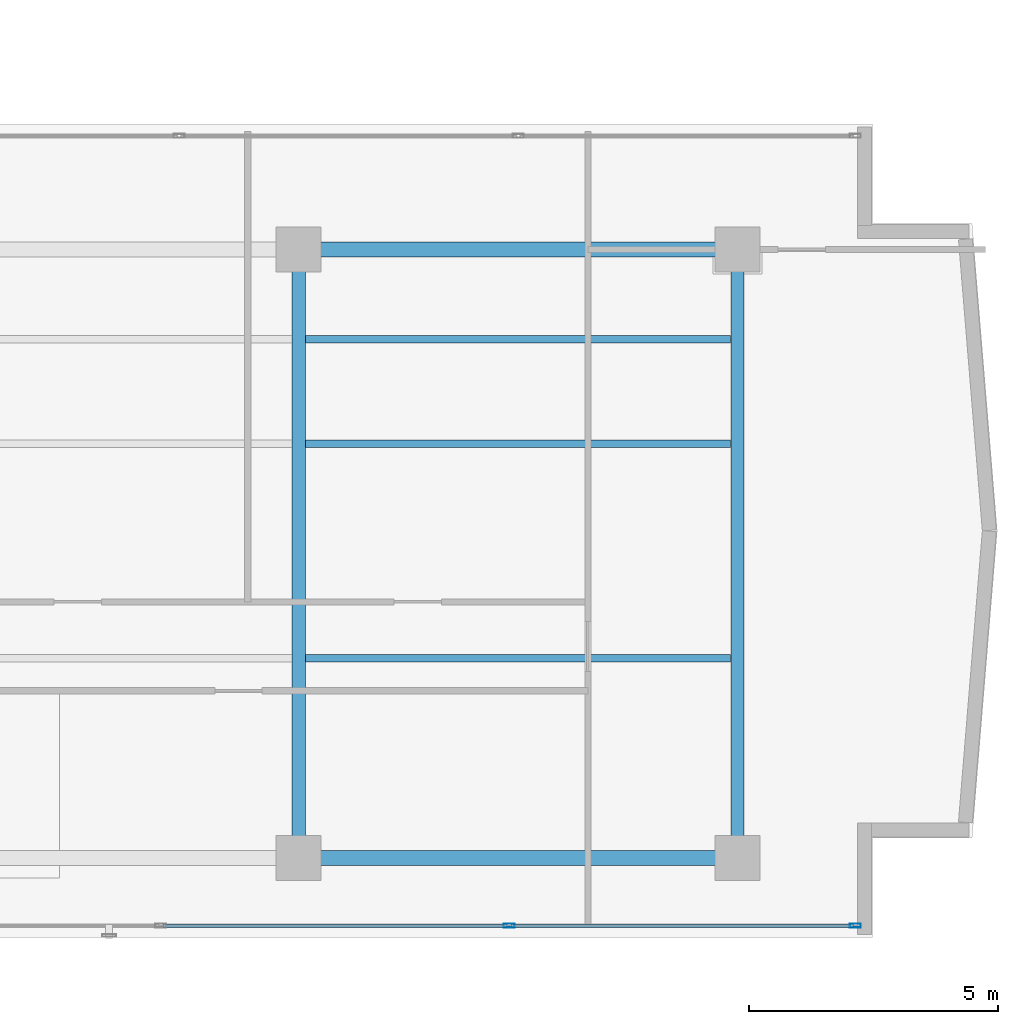
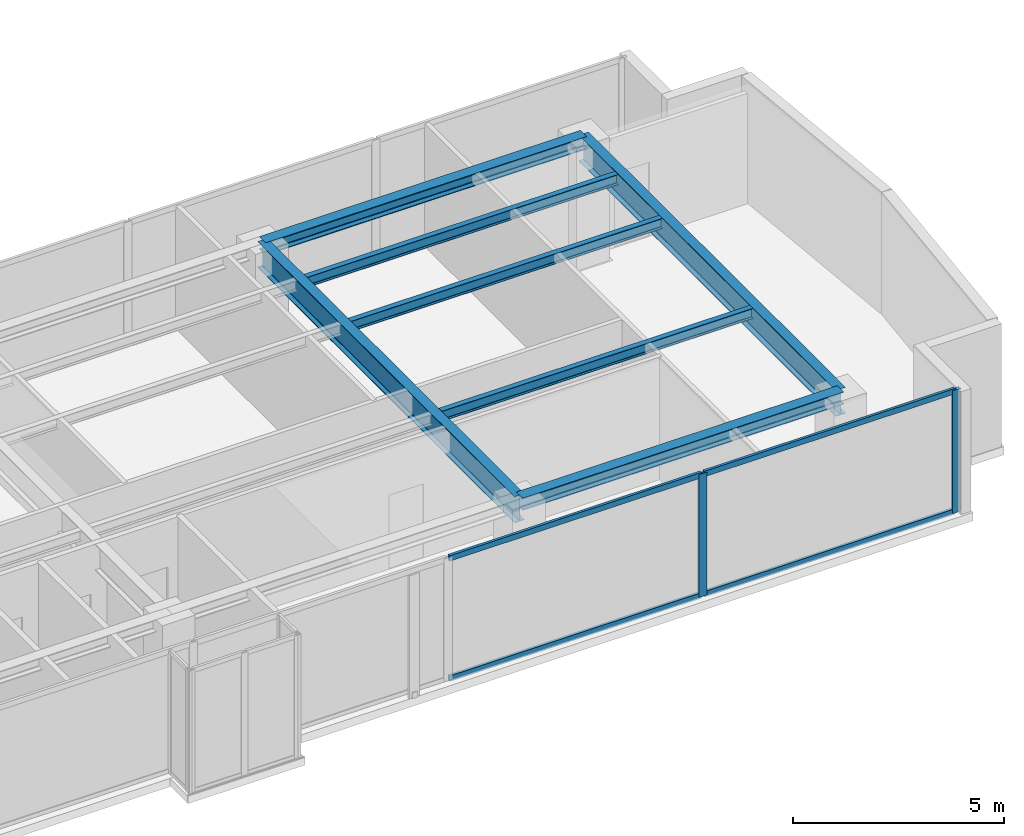
# One storey, part 11 of 24: 7 beams, 6 members, 1 element without a shape of its own.
"""IFC4 building model written with IfcOpenShell, lengths in metres."""

from ifc_helpers import new_model, si_unit, direction, frame, origin, origin_with_axes, origin_2d, place, context, subcontext, project, spatial, hollow_rectangle, i_section, extrude, source, transform, mapped, material, layer, layer_set, material_profile, profile_set, type_object, element, aggregate, save


model = new_model("IFC4")

# Units and contexts
model_context = context("Model", 3, precision=1e-05, world=origin(), true_north=direction((0.0, 1.0)))
body_context = subcontext(model_context, "Body", "Model", "MODEL_VIEW")
ifc_project = project(units=[si_unit("LENGTHUNIT", "METRE"), si_unit("AREAUNIT", "SQUARE_METRE"), si_unit("VOLUMEUNIT", "CUBIC_METRE"), si_unit("PLANEANGLEUNIT", "RADIAN"), si_unit("MASSUNIT", "GRAM", prefix="KILO")], contexts=[model_context])

# Site, building, storey
site_placement = place(None, origin())
site = spatial("IfcSite", under=ifc_project, at=site_placement, CompositionType="ELEMENT")
building_placement = place(site_placement, origin())
building = spatial("IfcBuilding", under=site, at=building_placement, Name="Kolvaren Waterfront Exchange", CompositionType="ELEMENT")
storey_placement = place(building_placement, frame((0.0, 0.0, 293.199951171875)))
storey = spatial("IfcBuildingStorey", under=building, at=storey_placement, Name="L75", CompositionType="ELEMENT", Elevation=293.199951171875)

# Beams
ifc_material_1 = material(Name="Steel S355", Category="steel")
ifc_material_profile_1 = material_profile(ifc_material_1, i_section(OverallWidth=0.300048828125, OverallDepth=0.360107421875, WebThickness=0.012451171875, FlangeThickness=0.0224609375, FilletRadius=0.027099609375, at=origin_2d()), Name="HEB360")
ifc_profile_set_1 = profile_set([ifc_material_profile_1], Name="Steel S355")
beam_type_1 = type_object("IfcBeamType", Name="STR-BM-HEB360", PredefinedType="SPANDREL", material=ifc_profile_set_1)
for number, where, z_axis, x_axis, name in (
    (1, (36.800048828125, 5.199951171875, 3.380126953125), (1.0, 0.0, 0.0), (0.0, 1.0, 0.0), "L75 east-arm spandrel S3"),
    (2, (36.800048828125, 17.39990234375, 3.380126953125), (1.0, 0.0, 0.0), (0.0, 1.0, 0.0), "L75 east-arm spandrel N3"),
):
    element("IfcBeam", number, at=place(storey_placement, frame(where, z_axis=z_axis, x_axis=x_axis)), inside=storey, type_object=beam_type_1, Name=name, PredefinedType="SPANDREL", context=body_context, shape_type="SweptSolid", body=[
        extrude(i_section(OverallWidth=0.300048828125, OverallDepth=0.360107421875, WebThickness=0.012451171875, FlangeThickness=0.0224609375, FilletRadius=0.027099609375, at=origin_2d()), origin(), (0.0, 0.0, 1.0), 8.800048828125),
    ])
ifc_material_profile_2 = material_profile(ifc_material_1, i_section(OverallWidth=0.14990234375, OverallDepth=0.300048828125, WebThickness=0.007080078125, FlangeThickness=0.0107421875, FilletRadius=0.014892578125, at=origin_2d()), Name="IPE300")
ifc_profile_set_2 = profile_set([ifc_material_profile_2], Name="Steel S355")
beam_type_2 = type_object("IfcBeamType", Name="STR-BM-IPE300", PredefinedType="JOIST", material=ifc_profile_set_2)
for number, where, z_axis, x_axis, name in (
    (3, (36.935546875, 13.5, 3.41015625), (1.0, 0.0, 0.0), (0.0, 1.0, 0.0), "L75 east-arm composite joist 3A"),
    (4, (36.935546875, 15.60009765625, 3.41015625), (1.0, 0.0, 0.0), (0.0, 1.0, 0.0), "L75 east-arm composite joist 3C"),
    (5, (36.935546875, 9.199951171875, 3.41015625), (1.0, 0.0, 0.0), (0.0, 1.0, 0.0), "L75 east-arm composite joist 3B"),
):
    element("IfcBeam", number, at=place(storey_placement, frame(where, z_axis=z_axis, x_axis=x_axis)), inside=storey, type_object=beam_type_2, Name=name, PredefinedType="JOIST", context=body_context, shape_type="SweptSolid", body=[
        extrude(i_section(OverallWidth=0.14990234375, OverallDepth=0.300048828125, WebThickness=0.007080078125, FlangeThickness=0.0107421875, FilletRadius=0.014892578125, at=origin_2d()), origin(), (0.0, 0.0, 1.0), 8.529052734375),
    ])
ifc_material_profile_3 = material_profile(ifc_material_1, i_section(OverallWidth=0.26708984375, OverallDepth=0.761962890625, WebThickness=0.014404296875, FlangeThickness=0.021484375, FilletRadius=0.01708984375, at=origin_2d()), Name="IPE750x173")
ifc_profile_set_3 = profile_set([ifc_material_profile_3], Name="Steel S355")
beam_type_3 = type_object("IfcBeamType", Name="STR-BM-IPE750", PredefinedType="BEAM", material=ifc_profile_set_3)
for number, where, z_axis, x_axis, name in (
    (6, (36.800048828125, 5.199951171875, 3.178955078125), (0.0, 1.0, 0.0), (-1.0, 0.0, 0.0), "L75 east-arm transverse girder X36"),
    (7, (45.60009765625, 5.199951171875, 3.178955078125), (0.0, 1.0, 0.0), (-1.0, 0.0, 0.0), "L75 east-arm transverse girder X45"),
):
    element("IfcBeam", number, at=place(storey_placement, frame(where, z_axis=z_axis, x_axis=x_axis)), inside=storey, type_object=beam_type_3, Name=name, PredefinedType="BEAM", context=body_context, shape_type="SweptSolid", body=[
        extrude(i_section(OverallWidth=0.26708984375, OverallDepth=0.761962890625, WebThickness=0.014404296875, FlangeThickness=0.021484375, FilletRadius=0.01708984375, at=origin_2d()), origin(), (0.0, 0.0, 1.0), 12.199951171875),
    ])

# Curtain wall, members
ifc_material_2 = material(Name="Anodised bronze aluminium 6063-T6", Category="aluminium")
ifc_layer = layer(ifc_material_2, 0.219970703125, Name="Anodised bronze aluminium 6063-T6")
ifc_layer_set = layer_set([ifc_layer], Name="Anodised bronze aluminium 6063-T6")
curtain_wall_type = type_object("IfcCurtainWallType", Name="ARC-CW-SYS1", PredefinedType="USERDEFINED", material=ifc_layer_set)
curtain_wall_placement = place(storey_placement, origin())
curtain_wall = element("IfcCurtainWall", 8, at=curtain_wall_placement, inside=storey, type_object=curtain_wall_type, Name="L75 stick curtain wall CW1 (CW-L75-S)", ObjectType="STICK CURTAIN WALL", PredefinedType="USERDEFINED")
ifc_material_3 = material(Name="Anodised aluminium 6063-T6", Category="aluminium")
ifc_material_profile_4 = material_profile(ifc_material_3, hollow_rectangle(XDim=0.080078125, YDim=0.219970703125, WallThickness=0.0048828125, at=origin_2d()), Name="ALU-MUL-220x80x5")
ifc_profile_set_4 = profile_set([ifc_material_profile_4], Name="Anodised aluminium 6063-T6")
member_type_1 = type_object("IfcMemberType", Name="ARC-CWM-220", PredefinedType="MULLION", material=ifc_profile_set_4)
shared_shape_1 = source(origin_with_axes(), body_context, "Body", "SweptSolid", [
    extrude(hollow_rectangle(XDim=0.080078125, YDim=0.219970703125, WallThickness=0.0048828125, at=origin_2d()), origin(), (0.0, 0.0, 1.0), 3.56005859375),
])
member_1_placement = place(storey_placement, frame((41.02099609375, 3.840087890625, 0.0), z_axis=(0.0, 0.0, 1.0), x_axis=(0.0, 1.0, 0.0)))
member_1 = element("IfcMember", 9, at=member_1_placement, type_object=member_type_1, Name="CW1 mullion 6", PredefinedType="MULLION", context=body_context, shape_type="MappedRepresentation", body=[
    mapped(shared_shape_1, transform((0.0, 0.0, 0.0), x_axis=(1.0, 0.0, 0.0), y_axis=(0.0, 1.0, 0.0), z_axis=(0.0, 0.0, 1.0), scale=1.0)),
])
member_2_placement = place(storey_placement, frame((47.96533203125, 3.840087890625, 0.0), z_axis=(0.0, 0.0, 1.0), x_axis=(0.0, 1.0, 0.0)))
member_2 = element("IfcMember", 10, at=member_2_placement, type_object=member_type_1, Name="CW1 mullion 7", PredefinedType="MULLION", context=body_context, shape_type="MappedRepresentation", body=[
    mapped(shared_shape_1, transform((0.0, 0.0, 0.0), x_axis=(1.0, 0.0, 0.0), y_axis=(0.0, 1.0, 0.0), z_axis=(0.0, 0.0, 1.0), scale=1.0)),
])
ifc_material_profile_5 = material_profile(ifc_material_3, hollow_rectangle(XDim=0.074951171875, YDim=0.159912109375, WallThickness=0.00439453125, at=origin_2d()), Name="ALU-TRN-160x75x4.5")
ifc_profile_set_5 = profile_set([ifc_material_profile_5], Name="Anodised aluminium 6063-T6")
member_type_2 = type_object("IfcMemberType", Name="ARC-CWT-160", PredefinedType="USERDEFINED", material=ifc_profile_set_5)
shared_shape_2 = source(origin_with_axes(), body_context, "Body", "SweptSolid", [
    extrude(hollow_rectangle(XDim=0.074951171875, YDim=0.159912109375, WallThickness=0.00439453125, at=origin_2d()), origin(), (0.0, 0.0, 1.0), 6.8642578125),
])
member_3_placement = place(storey_placement, frame((41.06103515625, 3.840087890625, 0.03759765625), z_axis=(1.0, 0.0, 0.0), x_axis=(0.0, 1.0, 0.0)))
member_3 = element("IfcMember", 11, at=member_3_placement, type_object=member_type_2, Name="CW1 transom 6.1", ObjectType="TRANSOM", PredefinedType="USERDEFINED", context=body_context, shape_type="MappedRepresentation", body=[
    mapped(shared_shape_2, transform((0.0, 0.0, 0.0), x_axis=(1.0, 0.0, 0.0), y_axis=(0.0, 1.0, 0.0), z_axis=(0.0, 0.0, 1.0), scale=1.0)),
])
member_4_placement = place(storey_placement, frame((41.06103515625, 3.840087890625, 3.5224609375), z_axis=(1.0, 0.0, 0.0), x_axis=(0.0, 1.0, 0.0)))
member_4 = element("IfcMember", 12, at=member_4_placement, type_object=member_type_2, Name="CW1 transom 6.2", ObjectType="TRANSOM", PredefinedType="USERDEFINED", context=body_context, shape_type="MappedRepresentation", body=[
    mapped(shared_shape_2, transform((0.0, 0.0, 0.0), x_axis=(1.0, 0.0, 0.0), y_axis=(0.0, 1.0, 0.0), z_axis=(0.0, 0.0, 1.0), scale=1.0)),
])
shared_shape_3 = source(origin_with_axes(), body_context, "Body", "SweptSolid", [
    extrude(hollow_rectangle(XDim=0.074951171875, YDim=0.159912109375, WallThickness=0.00439453125, at=origin_2d()), origin(), (0.0, 0.0, 1.0), 6.904296875),
])
member_5_placement = place(storey_placement, frame((34.076904296875, 3.840087890625, 0.03759765625), z_axis=(1.0, 0.0, 0.0), x_axis=(0.0, 1.0, 0.0)))
member_5 = element("IfcMember", 13, at=member_5_placement, type_object=member_type_2, Name="CW1 transom 5.1", ObjectType="TRANSOM", PredefinedType="USERDEFINED", context=body_context, shape_type="MappedRepresentation", body=[
    mapped(shared_shape_3, transform((0.0, 0.0, 0.0), x_axis=(1.0, 0.0, 0.0), y_axis=(0.0, 1.0, 0.0), z_axis=(0.0, 0.0, 1.0), scale=1.0)),
])
member_6_placement = place(storey_placement, frame((34.076904296875, 3.840087890625, 3.5224609375), z_axis=(1.0, 0.0, 0.0), x_axis=(0.0, 1.0, 0.0)))
member_6 = element("IfcMember", 14, at=member_6_placement, type_object=member_type_2, Name="CW1 transom 5.2", ObjectType="TRANSOM", PredefinedType="USERDEFINED", context=body_context, shape_type="MappedRepresentation", body=[
    mapped(shared_shape_3, transform((0.0, 0.0, 0.0), x_axis=(1.0, 0.0, 0.0), y_axis=(0.0, 1.0, 0.0), z_axis=(0.0, 0.0, 1.0), scale=1.0)),
])
aggregate(curtain_wall, [member_1, member_2, member_5, member_6, member_3, member_4])

save(model, "model.ifc")
